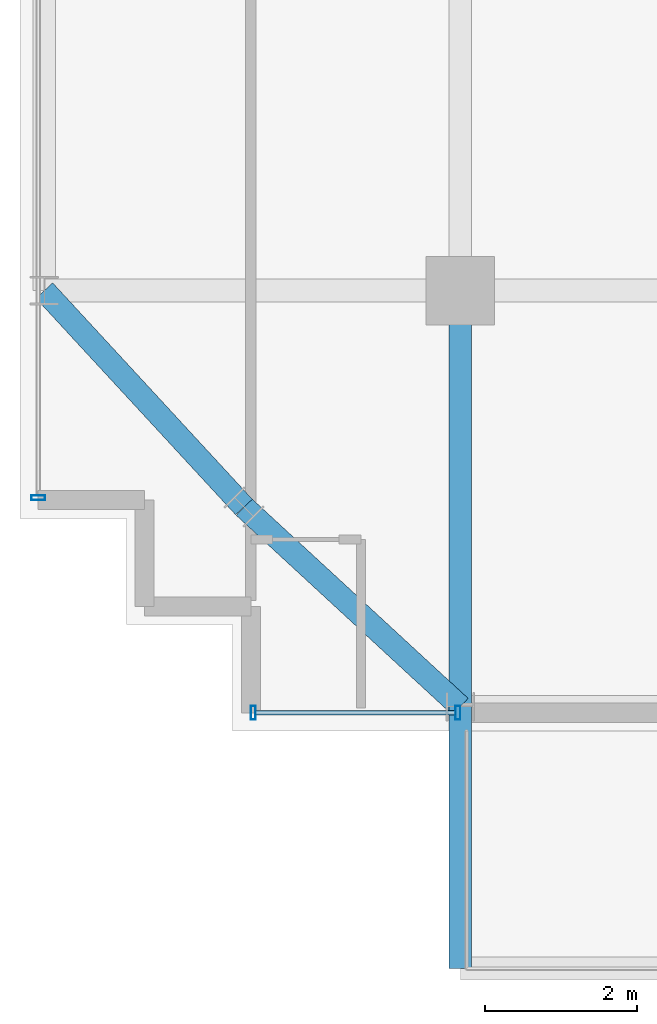
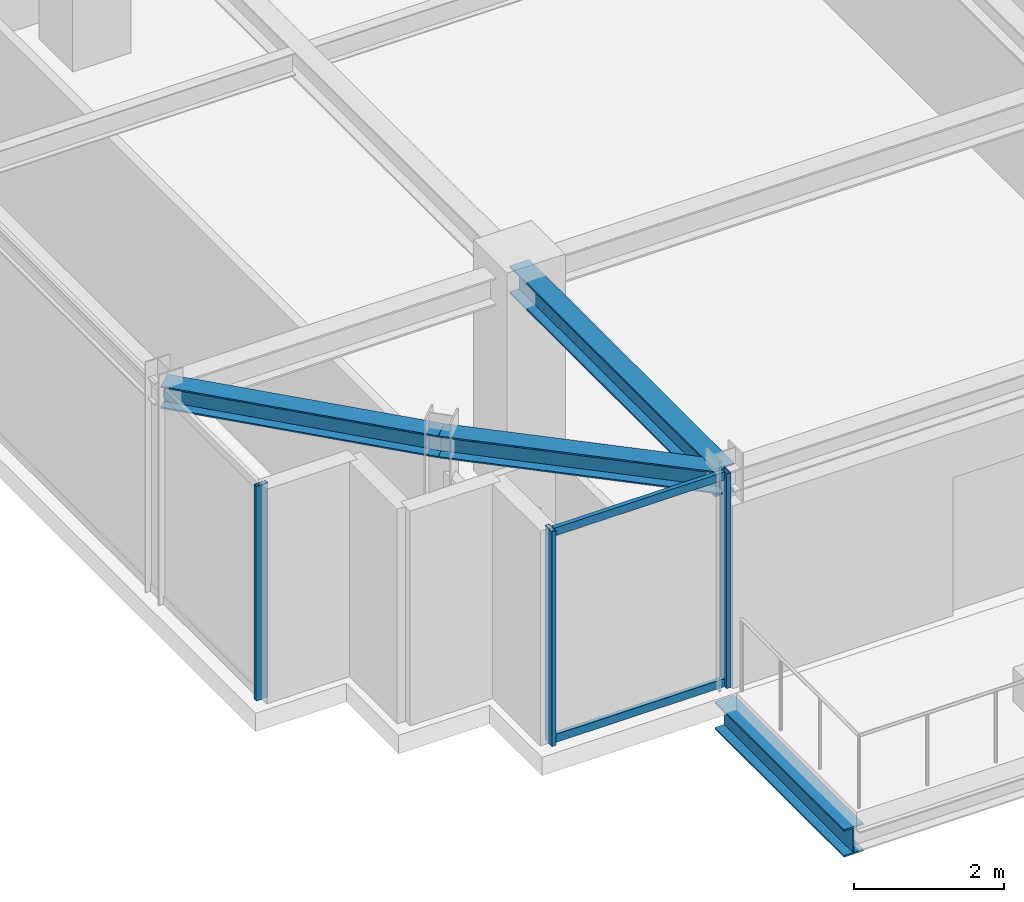
# One storey, part 4 of 32: 5 members, 4 beams, 2 elements without a shape of their own.
"""IFC4 building model written with IfcOpenShell, lengths in metres."""

from ifc_helpers import new_model, si_unit, direction, frame, origin, origin_2d, place, context, subcontext, project, spatial, hollow_rectangle, i_section, extrude, source, transform, mapped, material, material_profile, profile_set, type_object, element, aggregate, save


model = new_model("IFC4")

# Units and contexts
model_context = context("Model", 3, precision=1e-05, world=origin(), true_north=direction((0.0, 1.0)))
body_context = subcontext(model_context, "Body", "Model", "MODEL_VIEW")
ifc_project = project(units=[si_unit("LENGTHUNIT", "METRE"), si_unit("AREAUNIT", "SQUARE_METRE"), si_unit("VOLUMEUNIT", "CUBIC_METRE"), si_unit("PLANEANGLEUNIT", "RADIAN"), si_unit("MASSUNIT", "GRAM", prefix="KILO")], contexts=[model_context])

# Site, building, storey
site_placement = place(None, origin())
site = spatial("IfcSite", under=ifc_project, at=site_placement, CompositionType="ELEMENT")
building_placement = place(site_placement, origin())
building = spatial("IfcBuilding", under=site, at=building_placement, Name="Nahalor Promenade Grand Hotel", CompositionType="ELEMENT")
storey_placement = place(building_placement, frame((0.0, 0.0, 330.949951171875)))
storey = spatial("IfcBuildingStorey", under=building, at=storey_placement, Name="L85", CompositionType="ELEMENT", Elevation=330.949951171875)

# Beams
ifc_material_1 = material(Name="Steel S355JR", Category="steel")
ifc_material_profile_1 = material_profile(ifc_material_1, i_section(OverallWidth=0.3, OverallDepth=0.45, WebThickness=0.014, FlangeThickness=0.026, at=origin_2d()), Name="HEB 450")
ifc_profile_set_1 = profile_set([ifc_material_profile_1], Name="Steel S355JR")
beam_type_1 = type_object("IfcBeamType", Name="Beam-Outrigger-HEB450", PredefinedType="BEAM", material=ifc_profile_set_1)
shared_shape_1 = source(origin(), body_context, "Body", "SweptSolid", [
    extrude(i_section(OverallWidth=0.3, OverallDepth=0.45, WebThickness=0.014, FlangeThickness=0.026, at=origin_2d()), origin(), (0.0, 0.0, 1.0), 3.449951171875),
])
beam_1_placement = place(storey_placement, frame((-17.0, -25.929931640625, -0.5048828125), z_axis=(0.0, 1.0, 0.0), x_axis=(-1.0, 0.0, 0.0)))
element("IfcBeam", 1, at=beam_1_placement, inside=storey, type_object=beam_type_1, Name="BM-L85-BC-01-1", PredefinedType="BEAM", context=body_context, shape_type="MappedRepresentation", body=[
    mapped(shared_shape_1, transform((0.0, 0.0, 0.0), scale=1.0)),
])
ifc_material_profile_2 = material_profile(ifc_material_1, i_section(OverallWidth=0.3, OverallDepth=0.45, WebThickness=0.014, FlangeThickness=0.026, at=origin_2d()), Name="HEB 450")
ifc_profile_set_2 = profile_set([ifc_material_profile_2], Name="Steel S355JR")
beam_type_2 = type_object("IfcBeamType", Name="Beam-Girder-HEB450", PredefinedType="BEAM", material=ifc_profile_set_2)
shared_shape_2 = source(origin(), body_context, "Body", "SweptSolid", [
    extrude(i_section(OverallWidth=0.3, OverallDepth=0.45, WebThickness=0.014, FlangeThickness=0.026, at=origin_2d()), origin(), (0.0, 0.0, 1.0), 5.47998046875),
])
beam_2_placement = place(storey_placement, frame((-17.0, -22.47998046875, 3.275146484375), z_axis=(0.0, 1.0, 0.0), x_axis=(-1.0, 0.0, 0.0)))
element("IfcBeam", 2, at=beam_2_placement, inside=storey, type_object=beam_type_2, Name="BM-L85-GY-0-0", PredefinedType="BEAM", context=body_context, shape_type="MappedRepresentation", body=[
    mapped(shared_shape_2, transform((0.0, 0.0, 0.0), scale=1.0)),
])
ifc_material_profile_3 = material_profile(ifc_material_1, i_section(OverallWidth=0.3, OverallDepth=0.36, WebThickness=0.0125, FlangeThickness=0.0225, at=origin_2d()), Name="HEB 360")
ifc_profile_set_3 = profile_set([ifc_material_profile_3], Name="Steel S355JR")
beam_type_3 = type_object("IfcBeamType", Name="Beam-Spandrel-HEB360", PredefinedType="SPANDREL", material=ifc_profile_set_3)
shared_shape_3 = source(origin(), body_context, "Body", "SweptSolid", [
    extrude(i_section(OverallWidth=0.3, OverallDepth=0.36, WebThickness=0.0125, FlangeThickness=0.0225, at=origin_2d()), origin(), (0.0, 0.0, 1.0), 3.878173828125),
])
for number, where, z_axis, x_axis, name in (
    (3, (-17.0, -22.47998046875, 3.320068359375), (-0.73492893846, 0.678144125843, 0.0), (-0.678144125843, -0.73492893846, 0.0), "BM-L85-SPC-SW-1"),
    (4, (-19.85009765625, -19.85009765625, 3.320068359375), (-0.678144125843, 0.73492893846, 0.0), (-0.73492893846, -0.678144125843, 0.0), "BM-L85-SPC-SW-2"),
):
    element("IfcBeam", number, at=place(storey_placement, frame(where, z_axis=z_axis, x_axis=x_axis)), inside=storey, type_object=beam_type_3, Name=name, PredefinedType="SPANDREL", context=body_context, shape_type="MappedRepresentation", body=[
        mapped(shared_shape_3, transform((0.0, 0.0, 0.0), scale=1.0)),
    ])

# Curtain wall, members
ifc_material_2 = material(Name="Anodised Bronze Aluminium EN AW-6063 T6", Category="aluminium")
curtain_wall_type = type_object("IfcCurtainWallType", Name="CW2 Typical Hotel Flush Bronze Unitised Curtain Wall", PredefinedType="USERDEFINED", material=ifc_material_2)
curtain_wall_1_placement = place(storey_placement, origin())
curtain_wall_1 = element("IfcCurtainWall", 5, at=curtain_wall_1_placement, inside=storey, type_object=curtain_wall_type, Name="L85 Curtain Wall CW-L85-S-1", ObjectType="UNITISED_CURTAIN_WALL", PredefinedType="USERDEFINED")
ifc_material_profile_4 = material_profile(ifc_material_2, hollow_rectangle(XDim=0.065, YDim=0.13, WallThickness=0.004, at=origin_2d()), Name="CWT 65x130x4")
ifc_profile_set_4 = profile_set([ifc_material_profile_4], Name="Anodised Bronze Aluminium EN AW-6063 T6")
member_type_1 = type_object("IfcMemberType", Name="CWT2 Typical Bronze Transom 65x130", PredefinedType="USERDEFINED", material=ifc_profile_set_4)
shared_shape_4 = source(origin(), body_context, "Body", "SweptSolid", [
    extrude(hollow_rectangle(XDim=0.065, YDim=0.13, WallThickness=0.004, at=origin_2d()), origin(), (0.0, 0.0, 1.0), 2.630126953125),
])
member_1_placement = place(storey_placement, frame((-19.695068359375, -22.56005859375, 0.06494140625), z_axis=(1.0, 0.0, 0.0), x_axis=(0.0, 1.0, 0.0)))
member_1 = element("IfcMember", 6, at=member_1_placement, type_object=member_type_1, Name="CW-L85-S-1 Transom 0-0", ObjectType="TRANSOM", PredefinedType="USERDEFINED", context=body_context, shape_type="MappedRepresentation", body=[
    mapped(shared_shape_4, transform((0.0, 0.0, 0.0), scale=1.0)),
])
member_2_placement = place(storey_placement, frame((-19.695068359375, -22.56005859375, 3.43505859375), z_axis=(1.0, 0.0, 0.0), x_axis=(0.0, 1.0, 0.0)))
member_2 = element("IfcMember", 7, at=member_2_placement, type_object=member_type_1, Name="CW-L85-S-1 Transom 0-1", ObjectType="TRANSOM", PredefinedType="USERDEFINED", context=body_context, shape_type="MappedRepresentation", body=[
    mapped(shared_shape_4, transform((0.0, 0.0, 0.0), scale=1.0)),
])
ifc_material_profile_5 = material_profile(ifc_material_2, hollow_rectangle(XDim=0.065, YDim=0.18, WallThickness=0.004, at=origin_2d()), Name="CWM 65x180x4")
ifc_profile_set_5 = profile_set([ifc_material_profile_5], Name="Anodised Bronze Aluminium EN AW-6063 T6")
member_type_2 = type_object("IfcMemberType", Name="CWM2 Typical Bronze Mullion 65x180", PredefinedType="MULLION", material=ifc_profile_set_5)
shared_shape_5 = source(origin(), body_context, "Body", "SweptSolid", [
    extrude(hollow_rectangle(XDim=0.065, YDim=0.18, WallThickness=0.004, at=origin_2d()), origin(), (0.0, 0.0, 1.0), 3.5),
])
member_3_placement = place(storey_placement, frame((-19.7275390625, -22.56005859375, 0.0), z_axis=(0.0, 0.0, 1.0), x_axis=(1.0, 0.0, 0.0)))
member_3 = element("IfcMember", 8, at=member_3_placement, type_object=member_type_2, Name="CW-L85-S-1 Mullion 0", PredefinedType="MULLION", context=body_context, shape_type="MappedRepresentation", body=[
    mapped(shared_shape_5, transform((0.0, 0.0, 0.0), scale=1.0)),
])
member_4_placement = place(storey_placement, frame((-17.032470703125, -22.56005859375, 0.0), z_axis=(0.0, 0.0, 1.0), x_axis=(1.0, 0.0, 0.0)))
member_4 = element("IfcMember", 9, at=member_4_placement, type_object=member_type_2, Name="CW-L85-S-1 Mullion 1", PredefinedType="MULLION", context=body_context, shape_type="MappedRepresentation", body=[
    mapped(shared_shape_5, transform((0.0, 0.0, 0.0), scale=1.0)),
])
aggregate(curtain_wall_1, [member_3, member_4, member_1, member_2])

# Curtain wall, member
curtain_wall_2_placement = place(storey_placement, origin())
curtain_wall_2 = element("IfcCurtainWall", 10, at=curtain_wall_2_placement, inside=storey, type_object=curtain_wall_type, Name="L85 Curtain Wall CW-L85-W-1", ObjectType="UNITISED_CURTAIN_WALL", PredefinedType="USERDEFINED")
member_5_placement = place(storey_placement, frame((-22.56005859375, -19.7275390625, 0.0), z_axis=(0.0, 0.0, 1.0), x_axis=(0.0, 1.0, 0.0)))
member_5 = element("IfcMember", 11, at=member_5_placement, type_object=member_type_2, Name="CW-L85-W-1 Mullion 0", PredefinedType="MULLION", context=body_context, shape_type="MappedRepresentation", body=[
    mapped(shared_shape_5, transform((0.0, 0.0, 0.0), scale=1.0)),
])
aggregate(curtain_wall_2, [member_5])

save(model, "model.ifc")
